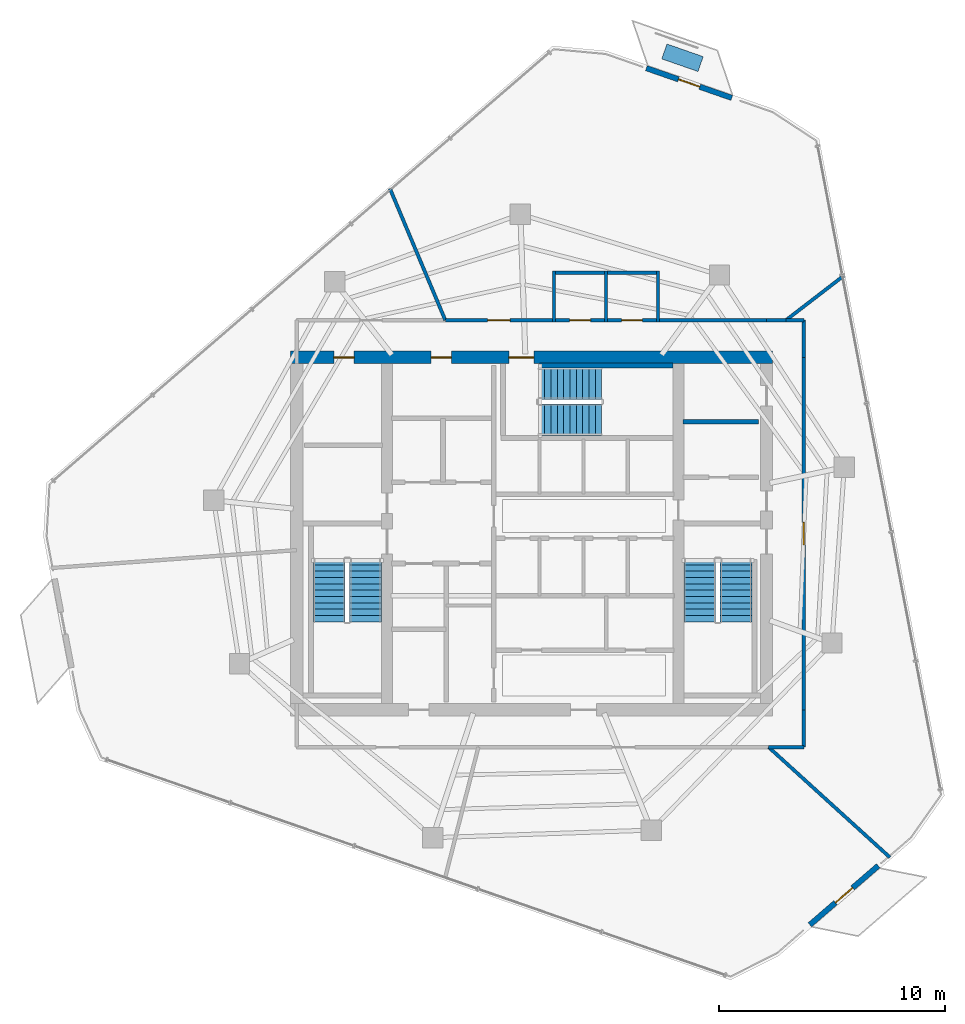
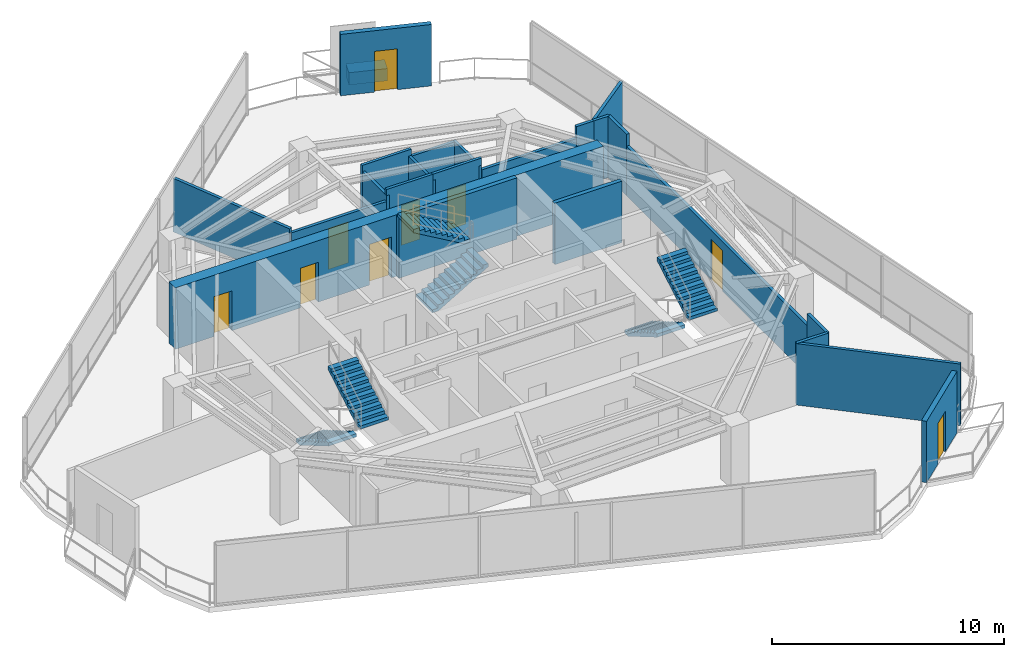
# One storey, part 16 of 18: 23 walls, 9 doors, 6 stair flights, 1 discrete accessory, 9 openings, 3 elements without a shape of their own.
"""IFC4 building model written with IfcOpenShell, lengths in metres."""

from ifc_helpers import new_model, si_unit, direction, frame, frame_2d, origin, origin_2d, place, context, subcontext, project, spatial, polyline, rectangle, outline, extrude, material, layer, layer_set, type_object, element, fill, aggregate, save


model = new_model("IFC4")

# Units and contexts
model_context = context("Model", 3, precision=1e-05, world=origin(), true_north=direction((0.0, 1.0)))
body_context = subcontext(model_context, "Body", "Model", "MODEL_VIEW")
ifc_project = project(units=[si_unit("LENGTHUNIT", "METRE"), si_unit("AREAUNIT", "SQUARE_METRE"), si_unit("VOLUMEUNIT", "CUBIC_METRE"), si_unit("PLANEANGLEUNIT", "RADIAN"), si_unit("MASSUNIT", "GRAM", prefix="KILO")], contexts=[model_context])

# Site, building, storey
site_placement = place(None, origin())
site = spatial("IfcSite", under=ifc_project, at=site_placement, CompositionType="ELEMENT")
building_placement = place(site_placement, origin())
building = spatial("IfcBuilding", under=site, at=building_placement, Name="Qarnah Convention Tower", CompositionType="ELEMENT")
storey_placement = place(building_placement, frame((0.0, 0.0, 220.199951171875)))
storey = spatial("IfcBuildingStorey", under=building, at=storey_placement, Name="L59", CompositionType="ELEMENT", Elevation=220.199951171875)

# Wall, openings, doors
ifc_material_1 = material(Name="Concrete C60/75", Category="concrete")
ifc_layer_1 = layer(ifc_material_1, 0.550048828125)
ifc_layer_set_1 = layer_set([ifc_layer_1], Name="Concrete C60/75")
wall_type_1 = type_object("IfcWallType", Name="WL-CORE-550", PredefinedType="SHEAR", material=ifc_layer_set_1)
wall_1_placement = place(storey_placement, frame((26.52490234375, 34.199951171875, 0.0), z_axis=(0.0, 0.0, 1.0), x_axis=(1.0, 0.0, 0.0)))
wall_1 = element("IfcWall", 1, at=wall_1_placement, inside=storey, type_object=wall_type_1, Name="L59 core north shear wall", PredefinedType="SHEAR", context=body_context, shape_type="SweptSolid", body=[
    extrude(rectangle(XDim=21.35009765625, YDim=0.550048828125, at=frame_2d((10.675048828125, 0.0))), origin(), (0.0, 0.0, 1.0), 3.239990234375),
])
opening_1_placement = place(wall_1_placement, frame((9.675048828125, 0.0, 0.0)))
opening_1 = element("IfcOpeningElement", 2, at=opening_1_placement, cuts=wall_1, Name="Opening D-5903", PredefinedType="OPENING", context=body_context, shape_type="SweptSolid", body=[
    extrude(rectangle(XDim=1.10009765625, YDim=2.14990234375, at=frame_2d((0.550048828125, 1.074951171875))), frame((0.0, 0.284912109375, 0.0), z_axis=(0.0, -1.0, 0.0), x_axis=(1.0, 0.0, 0.0)), (0.0, 0.0, 1.0), 0.570068359375),
])
opening_2_placement = place(wall_1_placement, frame((1.925048828125, 0.0, 0.0)))
opening_2 = element("IfcOpeningElement", 3, at=opening_2_placement, cuts=wall_1, Name="Opening D-5909", PredefinedType="OPENING", context=body_context, shape_type="SweptSolid", body=[
    extrude(rectangle(XDim=0.89990234375, YDim=2.10009765625, at=frame_2d((0.449951171875, 1.050048828125))), frame((0.0, 0.284912109375, 0.0), z_axis=(0.0, -1.0, 0.0), x_axis=(1.0, 0.0, 0.0)), (0.0, 0.0, 1.0), 0.570068359375),
])
opening_3_placement = place(wall_1_placement, frame((6.22509765625, 0.0, 0.0)))
opening_3 = element("IfcOpeningElement", 4, at=opening_3_placement, cuts=wall_1, Name="Opening D-5910", PredefinedType="OPENING", context=body_context, shape_type="SweptSolid", body=[
    extrude(rectangle(XDim=0.89990234375, YDim=2.10009765625, at=frame_2d((0.449951171875, 1.050048828125))), frame((0.0, 0.284912109375, 0.0), z_axis=(0.0, -1.0, 0.0), x_axis=(1.0, 0.0, 0.0)), (0.0, 0.0, 1.0), 0.570068359375),
])
ifc_material_2 = material(Name="Structural steel S355JR", Category="steel")
door_type_1 = type_object("IfcDoorType", Name="DT-RISER-900", OperationType="NOTDEFINED", PredefinedType="DOOR", material=ifc_material_2)
door_1_placement = place(opening_2_placement, origin())
door_1 = element("IfcDoor", 5, at=door_1_placement, inside=storey, type_object=door_type_1, Name="Door D-5909", OperationType="SINGLE_SWING_LEFT", OverallHeight=2.10009765625, OverallWidth=0.89990234375, PredefinedType="DOOR", context=body_context, shape_type="SweptSolid", body=[
    extrude(rectangle(XDim=0.89990234375, YDim=2.10009765625, at=frame_2d((0.449951171875, 1.050048828125))), frame((0.0, 0.02490234375, 0.0), z_axis=(0.0, -1.0, 0.0), x_axis=(1.0, 0.0, 0.0)), (0.0, 0.0, 1.0), 0.050048828125),
])
fill(opening_2, door_1)
door_2_placement = place(opening_3_placement, origin())
door_2 = element("IfcDoor", 6, at=door_2_placement, inside=storey, type_object=door_type_1, Name="Door D-5910", OperationType="SINGLE_SWING_RIGHT", OverallHeight=2.10009765625, OverallWidth=0.89990234375, PredefinedType="DOOR", context=body_context, shape_type="SweptSolid", body=[
    extrude(rectangle(XDim=0.89990234375, YDim=2.10009765625, at=frame_2d((0.449951171875, 1.050048828125))), frame((0.0, 0.02490234375, 0.0), z_axis=(0.0, -1.0, 0.0), x_axis=(1.0, 0.0, 0.0)), (0.0, 0.0, 1.0), 0.050048828125),
])
fill(opening_3, door_2)
door_type_2 = type_object("IfcDoorType", Name="DT-STAIR-1100", OperationType="NOTDEFINED", PredefinedType="DOOR", material=ifc_material_2)
door_3_placement = place(opening_1_placement, origin())
door_3 = element("IfcDoor", 7, at=door_3_placement, inside=storey, type_object=door_type_2, Name="Door D-5903", OperationType="SINGLE_SWING_LEFT", OverallHeight=2.14990234375, OverallWidth=1.10009765625, PredefinedType="DOOR", context=body_context, shape_type="SweptSolid", body=[
    extrude(rectangle(XDim=1.10009765625, YDim=2.14990234375, at=frame_2d((0.550048828125, 1.074951171875))), frame((0.0, 0.02490234375, 0.0), z_axis=(0.0, -1.0, 0.0), x_axis=(1.0, 0.0, 0.0)), (0.0, 0.0, 1.0), 0.050048828125),
])
fill(opening_1, door_3)

# Walls
ifc_material_3 = material(Name="Concrete C45/55", Category="concrete")
ifc_layer_2 = layer(ifc_material_3, 0.199951171875)
ifc_layer_set_2 = layer_set([ifc_layer_2], Name="Concrete C45/55")
wall_type_2 = type_object("IfcWallType", Name="WL-CORE-PART-200", PredefinedType="SOLIDWALL", material=ifc_layer_set_2)
wall_2_placement = place(storey_placement, frame((43.89990234375, 31.35009765625, 0.0), z_axis=(0.0, 0.0, 1.0), x_axis=(1.0, 0.0, 0.0)))
element("IfcWall", 8, at=wall_2_placement, inside=storey, type_object=wall_type_2, Name="L59 interior wall IW-L59-WTRN", PredefinedType="SOLIDWALL", context=body_context, shape_type="SweptSolid", body=[
    extrude(rectangle(XDim=3.35009765625, YDim=0.199951171875, at=frame_2d((1.675048828125, 0.0))), origin(), (0.0, 0.0, 1.0), 3.239990234375),
])
ifc_layer_3 = layer(ifc_material_1, 0.219970703125)
ifc_layer_set_3 = layer_set([ifc_layer_3], Name="Concrete C60/75")
wall_type_3 = type_object("IfcWallType", Name="WL-CORE-STAIR-220", PredefinedType="SHEAR", material=ifc_layer_set_3)
wall_3_placement = place(storey_placement, frame((37.550048828125, 33.840087890625, 0.0), z_axis=(0.0, 0.0, 1.0), x_axis=(1.0, 0.0, 0.0)))
element("IfcWall", 9, at=wall_3_placement, inside=storey, type_object=wall_type_3, Name="L59 stair shaft shear wall SW-L59-ST3N", PredefinedType="SHEAR", context=body_context, shape_type="SweptSolid", body=[
    extrude(rectangle(XDim=5.89990234375, YDim=0.219970703125, at=frame_2d((2.949951171875, 0.0))), origin(), (0.0, 0.0, 1.0), 3.239990234375),
])

# Wall, opening, door
ifc_material_4 = material(Name="Precast concrete C45/55", Category="concrete")
ifc_layer_4 = layer(ifc_material_4, 0.239990234375)
ifc_layer_set_4 = layer_set([ifc_layer_4], Name="Precast concrete C45/55")
wall_type_4 = type_object("IfcWallType", Name="WL-EXT-BAL-240", PredefinedType="SOLIDWALL", material=ifc_layer_set_4)
wall_4_placement = place(storey_placement, frame((42.283935546875, 47.00390625, 0.0), z_axis=(0.0, 0.0, 1.0), x_axis=(0.944432558677, -0.328705251117, 0.0)))
wall_4 = element("IfcWall", 10, at=wall_4_placement, inside=storey, type_object=wall_type_4, Name="L59 loggia threshold wall BAL-L59-C1", PredefinedType="SOLIDWALL", context=body_context, shape_type="SweptSolid", body=[
    extrude(rectangle(XDim=4.00048828125, YDim=0.239990234375, at=frame_2d((2.000244140625, 0.0))), origin(), (0.0, 0.0, 1.0), 3.239990234375),
])
opening_4_placement = place(wall_4_placement, frame((1.5, 0.0, 0.0)))
opening_4 = element("IfcOpeningElement", 11, at=opening_4_placement, cuts=wall_4, Name="Opening BD-5901", PredefinedType="OPENING", context=body_context, shape_type="SweptSolid", body=[
    extrude(rectangle(XDim=1.0, YDim=2.14990234375, at=frame_2d((0.5, 1.074951171875))), frame((0.0, 0.1298828125, 0.0), z_axis=(0.0, -1.0, 0.0), x_axis=(1.0, 0.0, 0.0)), (0.0, 0.0, 1.0), 0.260009765625),
])
ifc_material_5 = material(Name="Black anodised aluminium", Category="aluminium")
door_type_3 = type_object("IfcDoorType", Name="DT-BAL-1000", OperationType="NOTDEFINED", PredefinedType="DOOR", material=ifc_material_5)
door_4_placement = place(opening_4_placement, origin())
door_4 = element("IfcDoor", 12, at=door_4_placement, inside=storey, type_object=door_type_3, Name="L59 balcony terrace door BAL-L59-C1", OperationType="SINGLE_SWING_RIGHT", OverallHeight=2.14990234375, OverallWidth=1.0, PredefinedType="DOOR", context=body_context, shape_type="SweptSolid", body=[
    extrude(rectangle(XDim=1.0, YDim=2.14990234375, at=frame_2d((0.5, 1.074951171875))), frame((0.0, 0.02490234375, 0.0), z_axis=(0.0, -1.0, 0.0), x_axis=(1.0, 0.0, 0.0)), (0.0, 0.0, 1.0), 0.050048828125),
])
fill(opening_4, door_4)

wall_5_placement = place(storey_placement, frame((52.544921875, 11.701904296875, 0.0), z_axis=(0.0, 0.0, 1.0), x_axis=(-0.756938273596, -0.653486380857, 0.0)))
wall_5 = element("IfcWall", 13, at=wall_5_placement, inside=storey, type_object=wall_type_4, Name="L59 loggia threshold wall BAL-L59-C3", PredefinedType="SOLIDWALL", context=body_context, shape_type="SweptSolid", body=[
    extrude(rectangle(XDim=4.0, YDim=0.239990234375, at=frame_2d((2.0, 0.0))), origin(), (0.0, 0.0, 1.0), 3.239990234375),
])
opening_5_placement = place(wall_5_placement, frame((1.5, 0.0, 0.0)))
opening_5 = element("IfcOpeningElement", 14, at=opening_5_placement, cuts=wall_5, Name="Opening BD-5903", PredefinedType="OPENING", context=body_context, shape_type="SweptSolid", body=[
    extrude(rectangle(XDim=1.0, YDim=2.14990234375, at=frame_2d((0.5, 1.074951171875))), frame((0.0, 0.1298828125, 0.0), z_axis=(0.0, -1.0, 0.0), x_axis=(1.0, 0.0, 0.0)), (0.0, 0.0, 1.0), 0.260009765625),
])
door_5_placement = place(opening_5_placement, origin())
door_5 = element("IfcDoor", 15, at=door_5_placement, inside=storey, type_object=door_type_3, Name="L59 balcony terrace door BAL-L59-C3", OperationType="SINGLE_SWING_RIGHT", OverallHeight=2.14990234375, OverallWidth=1.0, PredefinedType="DOOR", context=body_context, shape_type="SweptSolid", body=[
    extrude(rectangle(XDim=1.0, YDim=2.14990234375, at=frame_2d((0.5, 1.074951171875))), frame((0.0, 0.02490234375, 0.0), z_axis=(0.0, -1.0, 0.0), x_axis=(1.0, 0.0, 0.0)), (0.0, 0.0, 1.0), 0.050048828125),
])
fill(opening_5, door_5)

# Wall
ifc_material_6 = material(Name="Gypsum partition board")
ifc_layer_5 = layer(ifc_material_6, 0.14990234375)
ifc_layer_set_5 = layer_set([ifc_layer_5], Name="Gypsum partition board")
wall_type_5 = type_object("IfcWallType", Name="WL-SUITE-150", PredefinedType="PARTITIONING", material=ifc_layer_set_5)
wall_6_placement = place(storey_placement, frame((30.931884765625, 41.674072265625, 0.0), z_axis=(0.0, 0.0, 1.0), x_axis=(0.38778750602, -0.921748799931, 0.0)))
element("IfcWall", 16, at=wall_6_placement, inside=storey, type_object=wall_type_5, Name="L59 interior wall IW-L59-R-08", PredefinedType="PARTITIONING", context=body_context, shape_type="SweptSolid", body=[
    extrude(rectangle(XDim=6.318359375, YDim=0.14990234375, at=frame_2d((3.1591796875, 0.0))), origin(), (0.0, 0.0, 1.0), 2.824951171875),
])

# Wall, opening, door
wall_7_placement = place(storey_placement, frame((33.382080078125, 35.85009765625, 0.0), z_axis=(0.0, 0.0, 1.0), x_axis=(1.0, 0.0, 0.0)))
wall_7 = element("IfcWall", 17, at=wall_7_placement, inside=storey, type_object=wall_type_5, Name="L59 interior wall IW-L59-R-09", PredefinedType="PARTITIONING", context=body_context, shape_type="SweptSolid", body=[
    extrude(rectangle(XDim=4.747802734375, YDim=0.14990234375, at=frame_2d((2.3740234375, 0.0))), origin(), (0.0, 0.0, 1.0), 2.616943359375),
])
opening_6_placement = place(wall_7_placement, frame((1.8740234375, 0.0, 0.0)))
opening_6 = element("IfcOpeningElement", 18, at=opening_6_placement, cuts=wall_7, Name="Opening D-5920", PredefinedType="OPENING", context=body_context, shape_type="SweptSolid", body=[
    extrude(rectangle(XDim=1.0, YDim=2.14990234375, at=frame_2d((0.5, 1.074951171875))), frame((0.0, 0.0849609375, 0.0), z_axis=(0.0, -1.0, 0.0), x_axis=(1.0, 0.0, 0.0)), (0.0, 0.0, 1.0), 0.169921875),
])
ifc_material_7 = material(Name="Oak timber veneer", Category="wood")
door_type_4 = type_object("IfcDoorType", Name="DT-OFFICE-1000", OperationType="NOTDEFINED", PredefinedType="DOOR", material=ifc_material_7)
door_6_placement = place(opening_6_placement, origin())
door_6 = element("IfcDoor", 19, at=door_6_placement, inside=storey, type_object=door_type_4, Name="Door D-5920", OperationType="SINGLE_SWING_RIGHT", OverallHeight=2.14990234375, OverallWidth=1.0, PredefinedType="DOOR", context=body_context, shape_type="SweptSolid", body=[
    extrude(rectangle(XDim=1.0, YDim=2.14990234375, at=frame_2d((0.5, 1.074951171875))), frame((0.0, 0.02490234375, 0.0), z_axis=(0.0, -1.0, 0.0), x_axis=(1.0, 0.0, 0.0)), (0.0, 0.0, 1.0), 0.050048828125),
])
fill(opening_6, door_6)

# Walls
wall_8_placement = place(storey_placement, frame((42.8701171875, 35.85009765625, 0.0), z_axis=(0.0, 0.0, 1.0), x_axis=(1.0, 0.0, 0.0)))
element("IfcWall", 20, at=wall_8_placement, inside=storey, type_object=wall_type_5, Name="L59 interior wall IW-L59-R-10", PredefinedType="PARTITIONING", context=body_context, shape_type="SweptSolid", body=[
    extrude(rectangle(XDim=4.72998046875, YDim=0.14990234375, at=frame_2d((2.364990234375, 0.0))), origin(), (0.0, 0.0, 1.0), 2.616943359375),
])
wall_9_placement = place(storey_placement, frame((47.60009765625, 35.85009765625, 0.0), z_axis=(0.0, 0.0, 1.0), x_axis=(1.0, 0.0, 0.0)))
element("IfcWall", 21, at=wall_9_placement, inside=storey, type_object=wall_type_5, Name="L59 interior wall IW-L59-R-11", PredefinedType="PARTITIONING", context=body_context, shape_type="SweptSolid", body=[
    extrude(rectangle(XDim=0.86181640625, YDim=0.14990234375, at=frame_2d((0.430908203125, 0.0))), origin(), (0.0, 0.0, 1.0), 3.239990234375),
])
wall_10_placement = place(storey_placement, frame((48.4619140625, 35.85009765625, 0.0), z_axis=(0.0, 0.0, 1.0), x_axis=(0.7925055996, 0.609864636294, 0.0)))
element("IfcWall", 22, at=wall_10_placement, inside=storey, type_object=wall_type_5, Name="L59 interior wall IW-L59-R-12", PredefinedType="PARTITIONING", context=body_context, shape_type="SweptSolid", body=[
    extrude(rectangle(XDim=3.22021484375, YDim=0.14990234375, at=frame_2d((1.610107421875, 0.0))), origin(), (0.0, 0.0, 1.0), 3.239990234375),
])
wall_11_placement = place(storey_placement, frame((53.06396484375, 12.069091796875, 0.0), z_axis=(0.0, 0.0, 1.0), x_axis=(-0.739937028387, 0.672676143491, 0.0)))
element("IfcWall", 23, at=wall_11_placement, inside=storey, type_object=wall_type_5, Name="L59 interior wall IW-L59-R-19", PredefinedType="PARTITIONING", context=body_context, shape_type="SweptSolid", body=[
    extrude(rectangle(XDim=7.255859375, YDim=0.14990234375, at=frame_2d((3.6279296875, 0.0))), origin(), (0.0, 0.0, 1.0), 3.239990234375),
])
wall_12_placement = place(storey_placement, frame((48.4619140625, 35.85009765625, 0.0), z_axis=(0.0, 0.0, 1.0), x_axis=(1.0, 0.0, 0.0)))
element("IfcWall", 24, at=wall_12_placement, inside=storey, type_object=wall_type_5, Name="L59 interior wall IW-L59-R-21", PredefinedType="PARTITIONING", context=body_context, shape_type="SweptSolid", body=[
    extrude(rectangle(XDim=0.7880859375, YDim=0.14990234375, at=frame_2d((0.39404296875, 0.0))), origin(), (0.0, 0.0, 1.0), 3.239990234375),
])
wall_13_placement = place(storey_placement, frame((49.25, 35.85009765625, 0.0), z_axis=(0.0, 0.0, 1.0), x_axis=(0.0, -1.0, 0.0)))
element("IfcWall", 25, at=wall_13_placement, inside=storey, type_object=wall_type_5, Name="L59 interior wall IW-L59-R-22", PredefinedType="PARTITIONING", context=body_context, shape_type="SweptSolid", body=[
    extrude(rectangle(XDim=1.650146484375, YDim=0.14990234375, at=frame_2d((0.8251953125, 0.0))), origin(), (0.0, 0.0, 1.0), 3.239990234375),
])

# Wall, opening, door
wall_14_placement = place(storey_placement, frame((49.25, 34.199951171875, 0.0), z_axis=(0.0, 0.0, 1.0), x_axis=(0.0, -1.0, 0.0)))
wall_14 = element("IfcWall", 26, at=wall_14_placement, inside=storey, type_object=wall_type_5, Name="L59 interior wall IW-L59-R-23", PredefinedType="PARTITIONING", context=body_context, shape_type="SweptSolid", body=[
    extrude(rectangle(XDim=15.599853515625, YDim=0.14990234375, at=frame_2d((7.7998046875, 0.0))), origin(), (0.0, 0.0, 1.0), 2.616943359375),
])
opening_7_placement = place(wall_14_placement, frame((7.300048828125, 0.0, 0.0)))
opening_7 = element("IfcOpeningElement", 27, at=opening_7_placement, cuts=wall_14, Name="Opening D-5924", PredefinedType="OPENING", context=body_context, shape_type="SweptSolid", body=[
    extrude(rectangle(XDim=1.0, YDim=2.14990234375, at=frame_2d((0.5, 1.074951171875))), frame((0.0, 0.0849609375, 0.0), z_axis=(0.0, -1.0, 0.0), x_axis=(1.0, 0.0, 0.0)), (0.0, 0.0, 1.0), 0.169921875),
])
door_7_placement = place(opening_7_placement, origin())
door_7 = element("IfcDoor", 28, at=door_7_placement, inside=storey, type_object=door_type_4, Name="Door D-5924", OperationType="SINGLE_SWING_RIGHT", OverallHeight=2.14990234375, OverallWidth=1.0, PredefinedType="DOOR", context=body_context, shape_type="SweptSolid", body=[
    extrude(rectangle(XDim=1.0, YDim=2.14990234375, at=frame_2d((0.5, 1.074951171875))), frame((0.0, 0.02490234375, 0.0), z_axis=(0.0, -1.0, 0.0), x_axis=(1.0, 0.0, 0.0)), (0.0, 0.0, 1.0), 0.050048828125),
])
fill(opening_7, door_7)

# Walls
wall_15_placement = place(storey_placement, frame((49.25, 18.60009765625, 0.0), z_axis=(0.0, 0.0, 1.0), x_axis=(0.0, -1.0, 0.0)))
element("IfcWall", 29, at=wall_15_placement, inside=storey, type_object=wall_type_5, Name="L59 interior wall IW-L59-R-24", PredefinedType="PARTITIONING", context=body_context, shape_type="SweptSolid", body=[
    extrude(rectangle(XDim=1.650146484375, YDim=0.14990234375, at=frame_2d((0.8251953125, 0.0))), origin(), (0.0, 0.0, 1.0), 3.239990234375),
])
wall_16_placement = place(storey_placement, frame((49.25, 16.949951171875, 0.0), z_axis=(0.0, 0.0, 1.0), x_axis=(-1.0, 0.0, 0.0)))
element("IfcWall", 30, at=wall_16_placement, inside=storey, type_object=wall_type_5, Name="L59 interior wall IW-L59-R-25", PredefinedType="PARTITIONING", context=body_context, shape_type="SweptSolid", body=[
    extrude(rectangle(XDim=1.554931640625, YDim=0.14990234375, at=frame_2d((0.77734375, 0.0))), origin(), (0.0, 0.0, 1.0), 3.239990234375),
])

# Wall, opening, door
ifc_layer_6 = layer(ifc_material_6, 0.139892578125)
ifc_layer_set_6 = layer_set([ifc_layer_6], Name="Gypsum partition board")
wall_type_6 = type_object("IfcWallType", Name="WL-WET-140", PredefinedType="PARTITIONING", material=ifc_layer_set_6)
wall_17_placement = place(storey_placement, frame((38.1298828125, 35.85009765625, 0.0), z_axis=(0.0, 0.0, 1.0), x_axis=(1.0, 0.0, 0.0)))
wall_17 = element("IfcWall", 31, at=wall_17_placement, inside=storey, type_object=wall_type_6, Name="L59 interior wall IW-L59-WCM-1", PredefinedType="PARTITIONING", context=body_context, shape_type="SweptSolid", body=[
    extrude(rectangle(XDim=2.440185546875, YDim=0.139892578125, at=frame_2d((1.22021484375, 0.0))), origin(), (0.0, 0.0, 1.0), 3.239990234375),
])
opening_8_placement = place(wall_17_placement, frame((0.760009765625, 0.0, 0.0)))
opening_8 = element("IfcOpeningElement", 32, at=opening_8_placement, cuts=wall_17, Name="Opening D-5918", PredefinedType="OPENING", context=body_context, shape_type="SweptSolid", body=[
    extrude(rectangle(XDim=0.919921875, YDim=2.10009765625, at=frame_2d((0.4599609375, 1.050048828125))), frame((0.0, 0.079833984375, 0.0), z_axis=(0.0, -1.0, 0.0), x_axis=(1.0, 0.0, 0.0)), (0.0, 0.0, 1.0), 0.159912109375),
])
door_type_5 = type_object("IfcDoorType", Name="DT-WC-920", OperationType="NOTDEFINED", PredefinedType="DOOR", material=ifc_material_7)
door_8_placement = place(opening_8_placement, origin())
door_8 = element("IfcDoor", 33, at=door_8_placement, inside=storey, type_object=door_type_5, Name="Door D-5918", OperationType="SINGLE_SWING_RIGHT", OverallHeight=2.10009765625, OverallWidth=0.919921875, PredefinedType="DOOR", context=body_context, shape_type="SweptSolid", body=[
    extrude(rectangle(XDim=0.919921875, YDim=2.10009765625, at=frame_2d((0.4599609375, 1.050048828125))), frame((0.0, 0.02490234375, 0.0), z_axis=(0.0, -1.0, 0.0), x_axis=(1.0, 0.0, 0.0)), (0.0, 0.0, 1.0), 0.050048828125),
])
fill(opening_8, door_8)

# Walls
wall_18_placement = place(storey_placement, frame((40.5, 35.780029296875, 0.0), z_axis=(0.0, 0.0, 1.0), x_axis=(0.0, 1.0, 0.0)))
element("IfcWall", 34, at=wall_18_placement, inside=storey, type_object=wall_type_6, Name="L59 interior wall IW-L59-WCM-2", PredefinedType="PARTITIONING", context=body_context, shape_type="SweptSolid", body=[
    extrude(rectangle(XDim=2.239990234375, YDim=0.139892578125, at=frame_2d((1.1201171875, 0.0))), origin(), (0.0, 0.0, 1.0), 2.9130859375),
])
wall_19_placement = place(storey_placement, frame((40.570068359375, 37.949951171875, 0.0), z_axis=(0.0, 0.0, 1.0), x_axis=(-1.0, 0.0, 0.0)))
element("IfcWall", 35, at=wall_19_placement, inside=storey, type_object=wall_type_6, Name="L59 interior wall IW-L59-WCM-3", PredefinedType="PARTITIONING", context=body_context, shape_type="SweptSolid", body=[
    extrude(rectangle(XDim=2.440185546875, YDim=0.139892578125, at=frame_2d((1.22021484375, 0.0))), origin(), (0.0, 0.0, 1.0), 3.239990234375),
])
wall_20_placement = place(storey_placement, frame((38.199951171875, 38.02001953125, 0.0), z_axis=(0.0, 0.0, 1.0), x_axis=(0.0, -1.0, 0.0)))
element("IfcWall", 36, at=wall_20_placement, inside=storey, type_object=wall_type_6, Name="L59 interior wall IW-L59-WCM-4", PredefinedType="PARTITIONING", context=body_context, shape_type="SweptSolid", body=[
    extrude(rectangle(XDim=2.239990234375, YDim=0.139892578125, at=frame_2d((1.1201171875, 0.0))), origin(), (0.0, 0.0, 1.0), 2.9130859375),
])

# Wall, opening, door
wall_21_placement = place(storey_placement, frame((40.429931640625, 35.85009765625, 0.0), z_axis=(0.0, 0.0, 1.0), x_axis=(1.0, 0.0, 0.0)))
wall_21 = element("IfcWall", 37, at=wall_21_placement, inside=storey, type_object=wall_type_6, Name="L59 interior wall IW-L59-WCF-1", PredefinedType="PARTITIONING", context=body_context, shape_type="SweptSolid", body=[
    extrude(rectangle(XDim=2.440185546875, YDim=0.139892578125, at=frame_2d((1.22021484375, 0.0))), origin(), (0.0, 0.0, 1.0), 3.239990234375),
])
opening_9_placement = place(wall_21_placement, frame((0.760009765625, 0.0, 0.0)))
opening_9 = element("IfcOpeningElement", 38, at=opening_9_placement, cuts=wall_21, Name="Opening D-5919", PredefinedType="OPENING", context=body_context, shape_type="SweptSolid", body=[
    extrude(rectangle(XDim=0.919921875, YDim=2.10009765625, at=frame_2d((0.4599609375, 1.050048828125))), frame((0.0, 0.079833984375, 0.0), z_axis=(0.0, -1.0, 0.0), x_axis=(1.0, 0.0, 0.0)), (0.0, 0.0, 1.0), 0.159912109375),
])
door_9_placement = place(opening_9_placement, origin())
door_9 = element("IfcDoor", 39, at=door_9_placement, inside=storey, type_object=door_type_5, Name="Door D-5919", OperationType="SINGLE_SWING_LEFT", OverallHeight=2.10009765625, OverallWidth=0.919921875, PredefinedType="DOOR", context=body_context, shape_type="SweptSolid", body=[
    extrude(rectangle(XDim=0.919921875, YDim=2.10009765625, at=frame_2d((0.4599609375, 1.050048828125))), frame((0.0, 0.02490234375, 0.0), z_axis=(0.0, -1.0, 0.0), x_axis=(1.0, 0.0, 0.0)), (0.0, 0.0, 1.0), 0.050048828125),
])
fill(opening_9, door_9)

# Walls
wall_22_placement = place(storey_placement, frame((42.800048828125, 35.780029296875, 0.0), z_axis=(0.0, 0.0, 1.0), x_axis=(0.0, 1.0, 0.0)))
element("IfcWall", 40, at=wall_22_placement, inside=storey, type_object=wall_type_6, Name="L59 interior wall IW-L59-WCF-2", PredefinedType="PARTITIONING", context=body_context, shape_type="SweptSolid", body=[
    extrude(rectangle(XDim=2.239990234375, YDim=0.139892578125, at=frame_2d((1.1201171875, 0.0))), origin(), (0.0, 0.0, 1.0), 2.869140625),
])
wall_23_placement = place(storey_placement, frame((42.8701171875, 37.949951171875, 0.0), z_axis=(0.0, 0.0, 1.0), x_axis=(-1.0, 0.0, 0.0)))
element("IfcWall", 41, at=wall_23_placement, inside=storey, type_object=wall_type_6, Name="L59 interior wall IW-L59-WCF-3", PredefinedType="PARTITIONING", context=body_context, shape_type="SweptSolid", body=[
    extrude(rectangle(XDim=2.440185546875, YDim=0.139892578125, at=frame_2d((1.22021484375, 0.0))), origin(), (0.0, 0.0, 1.0), 2.869140625),
])

# Stair, stair flights
ifc_material_8 = material(Name="Concrete C50/60", Category="concrete")
stair_type = type_object("IfcStairType", Name="STR-OFF", PredefinedType="HALF_TURN_STAIR", material=ifc_material_8)
stair_1_placement = place(storey_placement, origin())
stair_1 = element("IfcStair", 42, at=stair_1_placement, inside=storey, type_object=stair_type, Name="L59 Core exit stair ST-1", PredefinedType="HALF_TURN_STAIR")
stair_flight_type = type_object("IfcStairFlightType", Name="FLT-OFF", PredefinedType="STRAIGHT", material=ifc_material_8)
stair_flight_1_placement = place(storey_placement, frame((28.25, 25.300048828125, 0.0), z_axis=(0.0, 0.0, 1.0), x_axis=(0.0, -1.0, 0.0)))
stair_flight_1 = element("IfcStairFlight", 43, at=stair_flight_1_placement, type_object=stair_flight_type, Name="ST-1 flight 1", NumberOfRisers=11, NumberOfTreads=10, PredefinedType="STRAIGHT", RiserHeight=0.163636364, TreadLength=0.28, context=body_context, shape_type="SweptSolid", body=[
    extrude(outline(polyline([(0.0, 0.0), (0.0, 0.16357421875), (0.280029296875, 0.16357421875), (0.280029296875, 0.327392578125), (0.56005859375, 0.327392578125), (0.56005859375, 0.490966796875), (0.840087890625, 0.490966796875), (0.840087890625, 0.654541015625), (1.1201171875, 0.654541015625), (1.1201171875, 0.818115234375), (1.39990234375, 0.818115234375), (1.39990234375, 0.98193359375), (1.679931640625, 0.98193359375), (1.679931640625, 1.1455078125), (1.9599609375, 1.1455078125), (1.9599609375, 1.30908203125), (2.239990234375, 1.30908203125), (2.239990234375, 1.47265625), (2.52001953125, 1.47265625), (2.52001953125, 1.636474609375), (2.800048828125, 1.636474609375), (2.800048828125, 1.800048828125), (2.800048828125, 1.462646484375), (0.297119140625, 0.0), (0.0, 0.0)])), frame((0.0, 0.699951171875, 0.0), z_axis=(0.0, -1.0, 0.0), x_axis=(1.0, 0.0, 0.0)), (0.0, 0.0, 1.0), 1.39990234375),
])
stair_flight_2_placement = place(storey_placement, frame((29.85009765625, 22.5, 1.800048828125), z_axis=(0.0, 0.0, 1.0), x_axis=(0.0, 1.0, 0.0)))
stair_flight_2 = element("IfcStairFlight", 44, at=stair_flight_2_placement, type_object=stair_flight_type, Name="ST-1 flight 2", NumberOfRisers=11, NumberOfTreads=10, PredefinedType="STRAIGHT", RiserHeight=0.163636364, TreadLength=0.28, context=body_context, shape_type="SweptSolid", body=[
    extrude(outline(polyline([(0.0, 0.0), (0.0, 0.16357421875), (0.280029296875, 0.16357421875), (0.280029296875, 0.327392578125), (0.56005859375, 0.327392578125), (0.56005859375, 0.490966796875), (0.840087890625, 0.490966796875), (0.840087890625, 0.654541015625), (1.1201171875, 0.654541015625), (1.1201171875, 0.818115234375), (1.39990234375, 0.818115234375), (1.39990234375, 0.98193359375), (1.679931640625, 0.98193359375), (1.679931640625, 1.1455078125), (1.9599609375, 1.1455078125), (1.9599609375, 1.30908203125), (2.239990234375, 1.30908203125), (2.239990234375, 1.47265625), (2.52001953125, 1.47265625), (2.52001953125, 1.636474609375), (2.800048828125, 1.636474609375), (2.800048828125, 1.800048828125), (2.800048828125, 1.462646484375), (0.297119140625, 0.0), (0.0, 0.0)])), frame((0.0, 0.699951171875, 0.0), z_axis=(0.0, -1.0, 0.0), x_axis=(1.0, 0.0, 0.0)), (0.0, 0.0, 1.0), 1.39990234375),
])
aggregate(stair_1, [stair_flight_1, stair_flight_2])

stair_2_placement = place(storey_placement, origin())
stair_2 = element("IfcStair", 45, at=stair_2_placement, inside=storey, type_object=stair_type, Name="L59 Core exit stair ST-2", PredefinedType="HALF_TURN_STAIR")
stair_flight_3_placement = place(storey_placement, frame((44.64990234375, 25.300048828125, 0.0), z_axis=(0.0, 0.0, 1.0), x_axis=(0.0, -1.0, 0.0)))
stair_flight_3 = element("IfcStairFlight", 46, at=stair_flight_3_placement, type_object=stair_flight_type, Name="ST-2 flight 1", NumberOfRisers=11, NumberOfTreads=10, PredefinedType="STRAIGHT", RiserHeight=0.163636364, TreadLength=0.28, context=body_context, shape_type="SweptSolid", body=[
    extrude(outline(polyline([(0.0, 0.0), (0.0, 0.16357421875), (0.280029296875, 0.16357421875), (0.280029296875, 0.327392578125), (0.56005859375, 0.327392578125), (0.56005859375, 0.490966796875), (0.840087890625, 0.490966796875), (0.840087890625, 0.654541015625), (1.1201171875, 0.654541015625), (1.1201171875, 0.818115234375), (1.39990234375, 0.818115234375), (1.39990234375, 0.98193359375), (1.679931640625, 0.98193359375), (1.679931640625, 1.1455078125), (1.9599609375, 1.1455078125), (1.9599609375, 1.30908203125), (2.239990234375, 1.30908203125), (2.239990234375, 1.47265625), (2.52001953125, 1.47265625), (2.52001953125, 1.636474609375), (2.800048828125, 1.636474609375), (2.800048828125, 1.800048828125), (2.800048828125, 1.462646484375), (0.297119140625, 0.0), (0.0, 0.0)])), frame((0.0, 0.699951171875, 0.0), z_axis=(0.0, -1.0, 0.0), x_axis=(1.0, 0.0, 0.0)), (0.0, 0.0, 1.0), 1.39990234375),
])
stair_flight_4_placement = place(storey_placement, frame((46.25, 22.5, 1.800048828125), z_axis=(0.0, 0.0, 1.0), x_axis=(0.0, 1.0, 0.0)))
stair_flight_4 = element("IfcStairFlight", 47, at=stair_flight_4_placement, type_object=stair_flight_type, Name="ST-2 flight 2", NumberOfRisers=11, NumberOfTreads=10, PredefinedType="STRAIGHT", RiserHeight=0.163636364, TreadLength=0.28, context=body_context, shape_type="SweptSolid", body=[
    extrude(outline(polyline([(0.0, 0.0), (0.0, 0.16357421875), (0.280029296875, 0.16357421875), (0.280029296875, 0.327392578125), (0.56005859375, 0.327392578125), (0.56005859375, 0.490966796875), (0.840087890625, 0.490966796875), (0.840087890625, 0.654541015625), (1.1201171875, 0.654541015625), (1.1201171875, 0.818115234375), (1.39990234375, 0.818115234375), (1.39990234375, 0.98193359375), (1.679931640625, 0.98193359375), (1.679931640625, 1.1455078125), (1.9599609375, 1.1455078125), (1.9599609375, 1.30908203125), (2.239990234375, 1.30908203125), (2.239990234375, 1.47265625), (2.52001953125, 1.47265625), (2.52001953125, 1.636474609375), (2.800048828125, 1.636474609375), (2.800048828125, 1.800048828125), (2.800048828125, 1.462646484375), (0.297119140625, 0.0), (0.0, 0.0)])), frame((0.0, 0.699951171875, 0.0), z_axis=(0.0, -1.0, 0.0), x_axis=(1.0, 0.0, 0.0)), (0.0, 0.0, 1.0), 1.39990234375),
])
aggregate(stair_2, [stair_flight_3, stair_flight_4])

stair_3_placement = place(storey_placement, origin())
stair_3 = element("IfcStair", 48, at=stair_3_placement, inside=storey, type_object=stair_type, Name="L59 Core exit stair ST-3", PredefinedType="HALF_TURN_STAIR")
stair_flight_5_placement = place(storey_placement, frame((37.5, 31.449951171875, 0.0), z_axis=(0.0, 0.0, 1.0), x_axis=(1.0, 0.0, 0.0)))
stair_flight_5 = element("IfcStairFlight", 49, at=stair_flight_5_placement, type_object=stair_flight_type, Name="ST-3 flight 1", NumberOfRisers=11, NumberOfTreads=10, PredefinedType="STRAIGHT", RiserHeight=0.163636364, TreadLength=0.28, context=body_context, shape_type="SweptSolid", body=[
    extrude(outline(polyline([(0.0, 0.0), (0.0, 0.16357421875), (0.280029296875, 0.16357421875), (0.280029296875, 0.327392578125), (0.56005859375, 0.327392578125), (0.56005859375, 0.490966796875), (0.840087890625, 0.490966796875), (0.840087890625, 0.654541015625), (1.1201171875, 0.654541015625), (1.1201171875, 0.818115234375), (1.39990234375, 0.818115234375), (1.39990234375, 0.98193359375), (1.679931640625, 0.98193359375), (1.679931640625, 1.1455078125), (1.9599609375, 1.1455078125), (1.9599609375, 1.30908203125), (2.239990234375, 1.30908203125), (2.239990234375, 1.47265625), (2.52001953125, 1.47265625), (2.52001953125, 1.636474609375), (2.800048828125, 1.636474609375), (2.800048828125, 1.800048828125), (2.800048828125, 1.462646484375), (0.297119140625, 0.0), (0.0, 0.0)])), frame((0.0, 0.699951171875, 0.0), z_axis=(0.0, -1.0, 0.0), x_axis=(1.0, 0.0, 0.0)), (0.0, 0.0, 1.0), 1.39990234375),
])
stair_flight_6_placement = place(storey_placement, frame((40.300048828125, 33.050048828125, 1.800048828125), z_axis=(0.0, 0.0, 1.0), x_axis=(-1.0, 0.0, 0.0)))
stair_flight_6 = element("IfcStairFlight", 50, at=stair_flight_6_placement, type_object=stair_flight_type, Name="ST-3 flight 2", NumberOfRisers=11, NumberOfTreads=10, PredefinedType="STRAIGHT", RiserHeight=0.163636364, TreadLength=0.28, context=body_context, shape_type="SweptSolid", body=[
    extrude(outline(polyline([(0.0, 0.0), (0.0, 0.16357421875), (0.280029296875, 0.16357421875), (0.280029296875, 0.327392578125), (0.56005859375, 0.327392578125), (0.56005859375, 0.490966796875), (0.840087890625, 0.490966796875), (0.840087890625, 0.654541015625), (1.1201171875, 0.654541015625), (1.1201171875, 0.818115234375), (1.39990234375, 0.818115234375), (1.39990234375, 0.98193359375), (1.679931640625, 0.98193359375), (1.679931640625, 1.1455078125), (1.9599609375, 1.1455078125), (1.9599609375, 1.30908203125), (2.239990234375, 1.30908203125), (2.239990234375, 1.47265625), (2.52001953125, 1.47265625), (2.52001953125, 1.636474609375), (2.800048828125, 1.636474609375), (2.800048828125, 1.800048828125), (2.800048828125, 1.462646484375), (0.297119140625, 0.0), (0.0, 0.0)])), frame((0.0, 0.699951171875, 0.0), z_axis=(0.0, -1.0, 0.0), x_axis=(1.0, 0.0, 0.0)), (0.0, 0.0, 1.0), 1.39990234375),
])
aggregate(stair_3, [stair_flight_5, stair_flight_6])

# Discrete accessory
discrete_accessory_type = type_object("IfcDiscreteAccessoryType", Name="ACC-PLANTER-900", PredefinedType="USERDEFINED", material=ifc_material_4)
discrete_accessory_placement = place(storey_placement, frame((43.8798828125, 47.465087890625, 0.0), z_axis=(0.0, 0.0, 1.0), x_axis=(-0.944318957796, 0.329031466499, 0.0)))
element("IfcDiscreteAccessory", 51, at=discrete_accessory_placement, inside=storey, type_object=discrete_accessory_type, Name="L59 irrigated desert balcony PLANTER BAL-L59-C1", ObjectType="PLANTER", PredefinedType="USERDEFINED", context=body_context, shape_type="SweptSolid", body=[
    extrude(rectangle(XDim=1.699951171875, YDim=0.699951171875, at=origin_2d()), origin(), (0.0, 0.0, 1.0), 0.64990234375),
])

save(model, "model.ifc")
